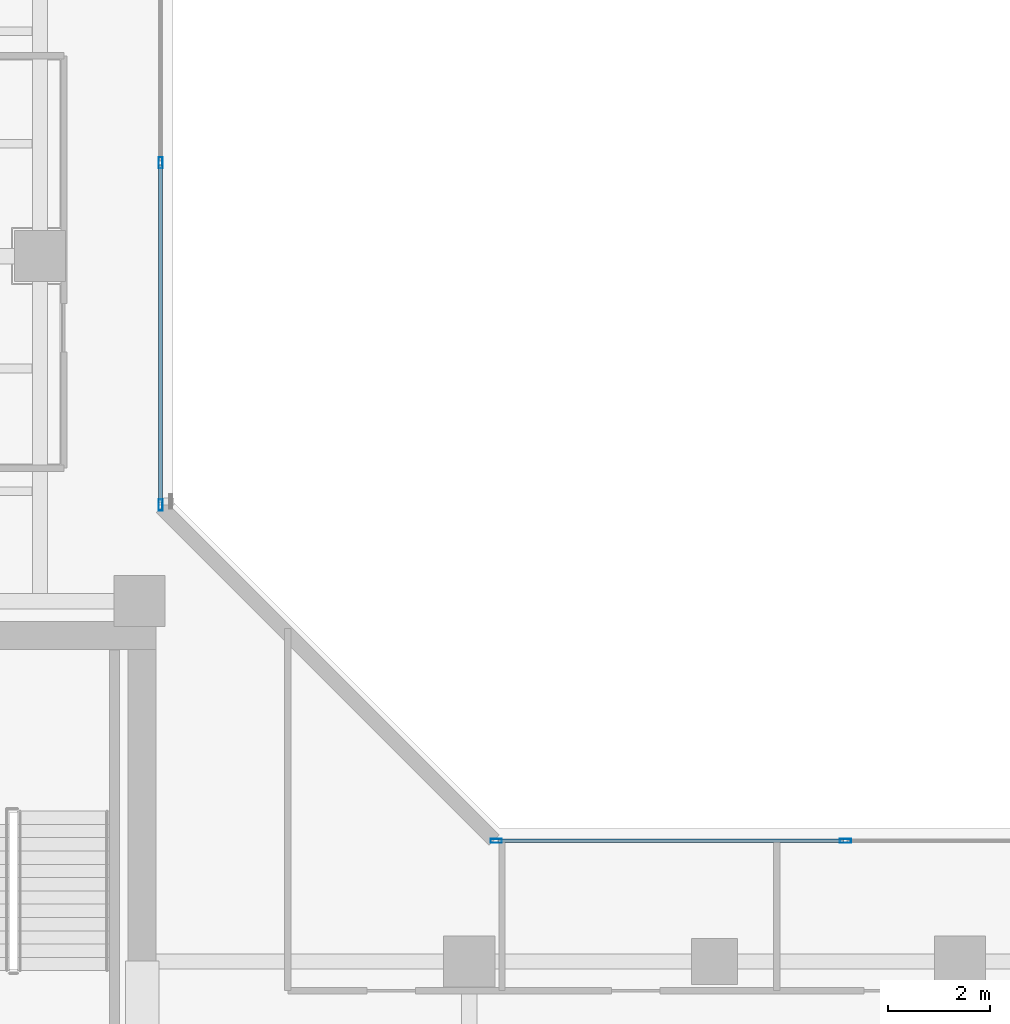
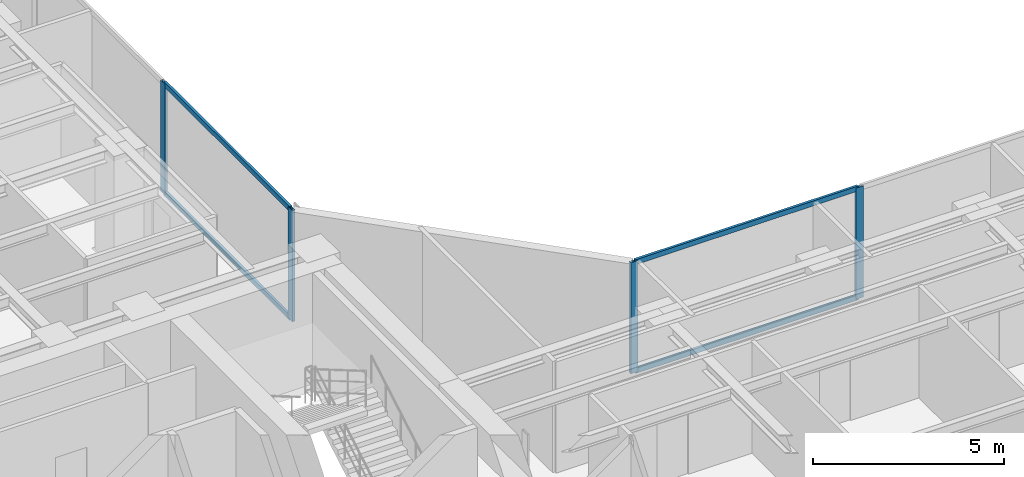
# One storey, part 9 of 23: 8 members, 2 elements without a shape of their own.
"""IFC4 building model written with IfcOpenShell, lengths in metres."""

from ifc_helpers import new_model, si_unit, direction, frame, origin, origin_with_axes, origin_2d, place, context, subcontext, project, spatial, hollow_rectangle, extrude, source, transform, mapped, material, layer, layer_set, material_profile, profile_set, type_object, element, aggregate, save


model = new_model("IFC4")

# Units and contexts
model_context = context("Model", 3, precision=1e-05, world=origin(), true_north=direction((0.0, 1.0)))
body_context = subcontext(model_context, "Body", "Model", "MODEL_VIEW")
ifc_project = project(units=[si_unit("LENGTHUNIT", "METRE"), si_unit("AREAUNIT", "SQUARE_METRE"), si_unit("VOLUMEUNIT", "CUBIC_METRE"), si_unit("PLANEANGLEUNIT", "RADIAN"), si_unit("MASSUNIT", "GRAM", prefix="KILO")], contexts=[model_context])

# Site, building, storey
site_placement = place(None, origin())
site = spatial("IfcSite", under=ifc_project, at=site_placement, CompositionType="ELEMENT")
building_placement = place(site_placement, origin())
building = spatial("IfcBuilding", under=site, at=building_placement, Name="Kolvaren Waterfront Exchange", CompositionType="ELEMENT")
storey_placement = place(building_placement, frame((0.0, 0.0, 212.10009765625)))
storey = spatial("IfcBuildingStorey", under=building, at=storey_placement, Name="L54", CompositionType="ELEMENT", Elevation=212.10009765625)

# Curtain wall, members
ifc_material_1 = material(Name="Anodised bronze aluminium 6063-T6", Category="aluminium")
ifc_layer = layer(ifc_material_1, 0.219970703125, Name="Anodised bronze aluminium 6063-T6")
ifc_layer_set = layer_set([ifc_layer], Name="Anodised bronze aluminium 6063-T6")
curtain_wall_type = type_object("IfcCurtainWallType", Name="ARC-CW-SYS1", PredefinedType="USERDEFINED", material=ifc_layer_set)
curtain_wall_1_placement = place(storey_placement, origin())
curtain_wall_1 = element("IfcCurtainWall", 1, at=curtain_wall_1_placement, inside=storey, type_object=curtain_wall_type, Name="L54 stick curtain wall CW1 (CW-L54-NE)", ObjectType="STICK CURTAIN WALL", PredefinedType="USERDEFINED")
ifc_material_2 = material(Name="Anodised aluminium 6063-T6", Category="aluminium")
ifc_material_profile_1 = material_profile(ifc_material_2, hollow_rectangle(XDim=0.080078125, YDim=0.219970703125, WallThickness=0.0048828125, at=origin_2d()), Name="ALU-MUL-220x80x5")
ifc_profile_set_1 = profile_set([ifc_material_profile_1], Name="Anodised aluminium 6063-T6")
member_type_1 = type_object("IfcMemberType", Name="ARC-CWM-220", PredefinedType="MULLION", material=ifc_profile_set_1)
shared_shape_1 = source(origin_with_axes(), body_context, "Body", "SweptSolid", [
    extrude(hollow_rectangle(XDim=0.080078125, YDim=0.219970703125, WallThickness=0.0048828125, at=origin_2d()), origin(), (0.0, 0.0, 1.0), 3.559814453125),
])
member_1_placement = place(storey_placement, frame((21.159912109375, 26.330078125, 0.0), z_axis=(0.0, 0.0, 1.0), x_axis=(-1.0, 0.0, 0.0)))
member_1 = element("IfcMember", 2, at=member_1_placement, type_object=member_type_1, Name="CW1 mullion 1", PredefinedType="MULLION", context=body_context, shape_type="MappedRepresentation", body=[
    mapped(shared_shape_1, transform((0.0, 0.0, 0.0), x_axis=(1.0, 0.0, 0.0), y_axis=(0.0, 1.0, 0.0), z_axis=(0.0, 0.0, 1.0), scale=1.0)),
])
member_2_placement = place(storey_placement, frame((21.159912109375, 33.026611328125, 0.0), z_axis=(0.0, 0.0, 1.0), x_axis=(-1.0, 0.0, 0.0)))
member_2 = element("IfcMember", 3, at=member_2_placement, type_object=member_type_1, Name="CW1 mullion 2", PredefinedType="MULLION", context=body_context, shape_type="MappedRepresentation", body=[
    mapped(shared_shape_1, transform((0.0, 0.0, 0.0), x_axis=(1.0, 0.0, 0.0), y_axis=(0.0, 1.0, 0.0), z_axis=(0.0, 0.0, 1.0), scale=1.0)),
])

curtain_wall_2_placement = place(storey_placement, origin())
curtain_wall_2 = element("IfcCurtainWall", 4, at=curtain_wall_2_placement, inside=storey, type_object=curtain_wall_type, Name="L54 stick curtain wall CW1 (CW-L54-EN)", ObjectType="STICK CURTAIN WALL", PredefinedType="USERDEFINED")
member_3_placement = place(storey_placement, frame((27.72998046875, 19.760009765625, 0.0), z_axis=(0.0, 0.0, 1.0), x_axis=(0.0, 1.0, 0.0)))
member_3 = element("IfcMember", 5, at=member_3_placement, type_object=member_type_1, Name="CW1 mullion 1", PredefinedType="MULLION", context=body_context, shape_type="MappedRepresentation", body=[
    mapped(shared_shape_1, transform((0.0, 0.0, 0.0), x_axis=(1.0, 0.0, 0.0), y_axis=(0.0, 1.0, 0.0), z_axis=(0.0, 0.0, 1.0), scale=1.0)),
])
member_4_placement = place(storey_placement, frame((34.56005859375, 19.760009765625, 0.0), z_axis=(0.0, 0.0, 1.0), x_axis=(0.0, 1.0, 0.0)))
member_4 = element("IfcMember", 6, at=member_4_placement, type_object=member_type_1, Name="CW1 mullion 2", PredefinedType="MULLION", context=body_context, shape_type="MappedRepresentation", body=[
    mapped(shared_shape_1, transform((0.0, 0.0, 0.0), x_axis=(1.0, 0.0, 0.0), y_axis=(0.0, 1.0, 0.0), z_axis=(0.0, 0.0, 1.0), scale=1.0)),
])

# Member
ifc_material_profile_2 = material_profile(ifc_material_2, hollow_rectangle(XDim=0.074951171875, YDim=0.159912109375, WallThickness=0.00439453125, at=origin_2d()), Name="ALU-TRN-160x75x4.5")
ifc_profile_set_2 = profile_set([ifc_material_profile_2], Name="Anodised aluminium 6063-T6")
member_type_2 = type_object("IfcMemberType", Name="ARC-CWT-160", PredefinedType="USERDEFINED", material=ifc_profile_set_2)
shared_shape_2 = source(origin_with_axes(), body_context, "Body", "SweptSolid", [
    extrude(hollow_rectangle(XDim=0.074951171875, YDim=0.159912109375, WallThickness=0.00439453125, at=origin_2d()), origin(), (0.0, 0.0, 1.0), 6.616455078125),
])
member_5_placement = place(storey_placement, frame((21.159912109375, 26.3701171875, 0.037353515625), z_axis=(0.0, 1.0, 0.0), x_axis=(-1.0, 0.0, 0.0)))
member_5 = element("IfcMember", 7, at=member_5_placement, type_object=member_type_2, Name="CW1 transom 1.1", ObjectType="TRANSOM", PredefinedType="USERDEFINED", context=body_context, shape_type="MappedRepresentation", body=[
    mapped(shared_shape_2, transform((0.0, 0.0, 0.0), x_axis=(1.0, 0.0, 0.0), y_axis=(0.0, 1.0, 0.0), z_axis=(0.0, 0.0, 1.0), scale=1.0)),
])

member_6_placement = place(storey_placement, frame((21.159912109375, 26.3701171875, 3.5224609375), z_axis=(0.0, 1.0, 0.0), x_axis=(-1.0, 0.0, 0.0)))
member_6 = element("IfcMember", 8, at=member_6_placement, type_object=member_type_2, Name="CW1 transom 1.2", ObjectType="TRANSOM", PredefinedType="USERDEFINED", context=body_context, shape_type="MappedRepresentation", body=[
    mapped(shared_shape_2, transform((0.0, 0.0, 0.0), x_axis=(1.0, 0.0, 0.0), y_axis=(0.0, 1.0, 0.0), z_axis=(0.0, 0.0, 1.0), scale=1.0)),
])

aggregate(curtain_wall_1, [member_1, member_2, member_5, member_6])

shared_shape_3 = source(origin_with_axes(), body_context, "Body", "SweptSolid", [
    extrude(hollow_rectangle(XDim=0.074951171875, YDim=0.159912109375, WallThickness=0.00439453125, at=origin_2d()), origin(), (0.0, 0.0, 1.0), 6.75),
])
member_7_placement = place(storey_placement, frame((27.77001953125, 19.760009765625, 0.037353515625), z_axis=(1.0, 0.0, 0.0), x_axis=(0.0, 1.0, 0.0)))
member_7 = element("IfcMember", 9, at=member_7_placement, type_object=member_type_2, Name="CW1 transom 1.1", ObjectType="TRANSOM", PredefinedType="USERDEFINED", context=body_context, shape_type="MappedRepresentation", body=[
    mapped(shared_shape_3, transform((0.0, 0.0, 0.0), x_axis=(1.0, 0.0, 0.0), y_axis=(0.0, 1.0, 0.0), z_axis=(0.0, 0.0, 1.0), scale=1.0)),
])

member_8_placement = place(storey_placement, frame((27.77001953125, 19.760009765625, 3.5224609375), z_axis=(1.0, 0.0, 0.0), x_axis=(0.0, 1.0, 0.0)))
member_8 = element("IfcMember", 10, at=member_8_placement, type_object=member_type_2, Name="CW1 transom 1.2", ObjectType="TRANSOM", PredefinedType="USERDEFINED", context=body_context, shape_type="MappedRepresentation", body=[
    mapped(shared_shape_3, transform((0.0, 0.0, 0.0), x_axis=(1.0, 0.0, 0.0), y_axis=(0.0, 1.0, 0.0), z_axis=(0.0, 0.0, 1.0), scale=1.0)),
])

aggregate(curtain_wall_2, [member_3, member_4, member_7, member_8])

save(model, "model.ifc")
